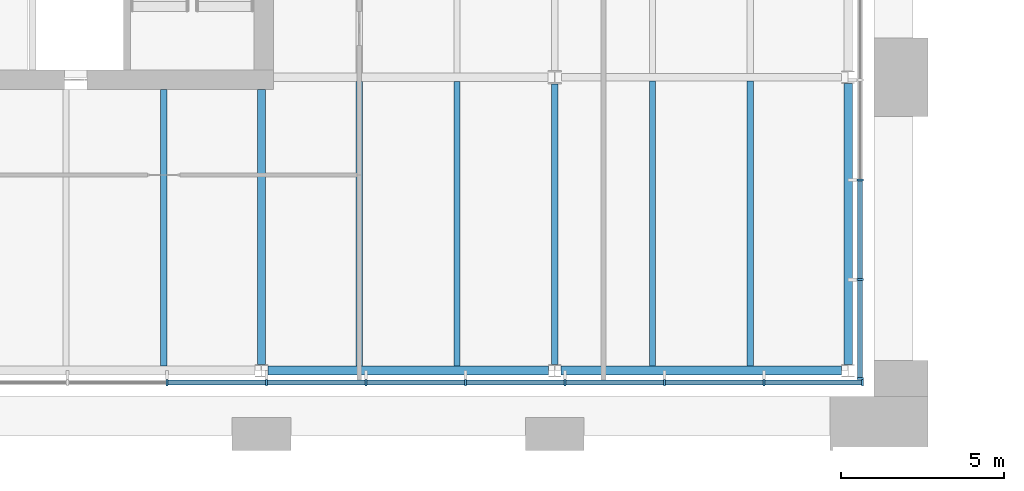
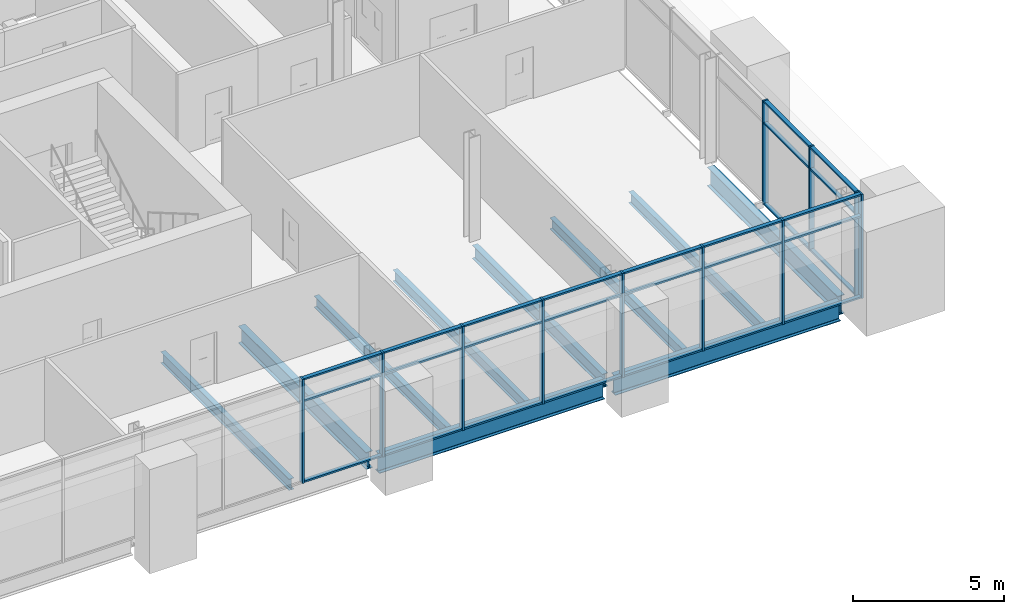
# One storey, part 10 of 43: 38 members, 10 beams, 2 elements without a shape of their own.
"""IFC4 building model written with IfcOpenShell, lengths in metres."""

from ifc_helpers import new_model, si_unit, direction, frame, origin, origin_2d, place, context, subcontext, project, spatial, rectangle, i_section, extrude, material, material_profile, profile_set, type_object, element, aggregate, save


model = new_model("IFC4")

# Units and contexts
model_context = context("Model", 3, precision=1e-05, world=origin(), true_north=direction((0.0, 1.0)))
body_context = subcontext(model_context, "Body", "Model", "MODEL_VIEW")
ifc_project = project(units=[si_unit("LENGTHUNIT", "METRE"), si_unit("AREAUNIT", "SQUARE_METRE"), si_unit("VOLUMEUNIT", "CUBIC_METRE"), si_unit("PLANEANGLEUNIT", "RADIAN"), si_unit("MASSUNIT", "GRAM", prefix="KILO")], contexts=[model_context])

# Site, building, storey
site_placement = place(None, origin())
site = spatial("IfcSite", under=ifc_project, at=site_placement, CompositionType="ELEMENT")
building_placement = place(site_placement, origin())
building = spatial("IfcBuilding", under=site, at=building_placement, Name="Baradari Gate Terminus", CompositionType="ELEMENT")
storey_placement = place(building_placement, frame((0.0, 0.0, 20.10009765625)))
storey = spatial("IfcBuildingStorey", under=building, at=storey_placement, Name="L04", CompositionType="ELEMENT", Elevation=20.10009765625)

# Curtain wall, members
ifc_material_1 = material(Name="Aluminium 6063-T6", Category="aluminium")
curtain_wall_type = type_object("IfcCurtainWallType", Name="Curtain wall CW-1 block unitised, zone L02-L05", PredefinedType="NOTDEFINED", material=ifc_material_1)
curtain_wall_1_placement = place(storey_placement, origin())
curtain_wall_1 = element("IfcCurtainWall", 1, at=curtain_wall_1_placement, inside=storey, type_object=curtain_wall_type, Name="Curtain wall CW-1 Operations block S face L04", PredefinedType="NOTDEFINED")
ifc_material_2 = material(Name="Aluminium 6063-T6", Category="aluminium")
ifc_material_profile_1 = material_profile(ifc_material_2, rectangle(XDim=0.199951171875, YDim=0.06494140625, at=origin_2d()), Name="CM-1 65X200")
ifc_profile_set_1 = profile_set([ifc_material_profile_1], Name="Aluminium 6063-T6")
member_type_1 = type_object("IfcMemberType", Name="Curtain wall mullion CM-1 65x200", PredefinedType="MULLION", material=ifc_profile_set_1)
member_1_placement = place(storey_placement, frame((42.1044921875, 116.6298828125, 0.0), z_axis=(0.0, 0.0, 1.0), x_axis=(0.0, 1.0, 0.0)))
member_1 = element("IfcMember", 2, at=member_1_placement, type_object=member_type_1, Name="CW-1 mullion 12", PredefinedType="MULLION", context=body_context, shape_type="SweptSolid", body=[
    extrude(rectangle(XDim=0.199951171875, YDim=0.06494140625, at=origin_2d()), origin(), (0.0, 0.0, 1.0), 4.199951171875),
])
member_2_placement = place(storey_placement, frame((45.15673828125, 116.6298828125, 0.0), z_axis=(0.0, 0.0, 1.0), x_axis=(0.0, 1.0, 0.0)))
member_2 = element("IfcMember", 3, at=member_2_placement, type_object=member_type_1, Name="CW-1 mullion 13", PredefinedType="MULLION", context=body_context, shape_type="SweptSolid", body=[
    extrude(rectangle(XDim=0.199951171875, YDim=0.06494140625, at=origin_2d()), origin(), (0.0, 0.0, 1.0), 4.199951171875),
])
member_3_placement = place(storey_placement, frame((48.208984375, 116.6298828125, 0.0), z_axis=(0.0, 0.0, 1.0), x_axis=(0.0, 1.0, 0.0)))
member_3 = element("IfcMember", 4, at=member_3_placement, type_object=member_type_1, Name="CW-1 mullion 14", PredefinedType="MULLION", context=body_context, shape_type="SweptSolid", body=[
    extrude(rectangle(XDim=0.199951171875, YDim=0.06494140625, at=origin_2d()), origin(), (0.0, 0.0, 1.0), 4.199951171875),
])
member_4_placement = place(storey_placement, frame((51.26123046875, 116.6298828125, 0.0), z_axis=(0.0, 0.0, 1.0), x_axis=(0.0, 1.0, 0.0)))
member_4 = element("IfcMember", 5, at=member_4_placement, type_object=member_type_1, Name="CW-1 mullion 15", PredefinedType="MULLION", context=body_context, shape_type="SweptSolid", body=[
    extrude(rectangle(XDim=0.199951171875, YDim=0.06494140625, at=origin_2d()), origin(), (0.0, 0.0, 1.0), 4.199951171875),
])
member_5_placement = place(storey_placement, frame((54.313232421875, 116.6298828125, 0.0), z_axis=(0.0, 0.0, 1.0), x_axis=(0.0, 1.0, 0.0)))
member_5 = element("IfcMember", 6, at=member_5_placement, type_object=member_type_1, Name="CW-1 mullion 16", PredefinedType="MULLION", context=body_context, shape_type="SweptSolid", body=[
    extrude(rectangle(XDim=0.199951171875, YDim=0.06494140625, at=origin_2d()), origin(), (0.0, 0.0, 1.0), 4.199951171875),
])
member_6_placement = place(storey_placement, frame((57.365478515625, 116.6298828125, 0.0), z_axis=(0.0, 0.0, 1.0), x_axis=(0.0, 1.0, 0.0)))
member_6 = element("IfcMember", 7, at=member_6_placement, type_object=member_type_1, Name="CW-1 mullion 17", PredefinedType="MULLION", context=body_context, shape_type="SweptSolid", body=[
    extrude(rectangle(XDim=0.199951171875, YDim=0.06494140625, at=origin_2d()), origin(), (0.0, 0.0, 1.0), 4.199951171875),
])
member_7_placement = place(storey_placement, frame((60.417724609375, 116.6298828125, 0.0), z_axis=(0.0, 0.0, 1.0), x_axis=(0.0, 1.0, 0.0)))
member_7 = element("IfcMember", 8, at=member_7_placement, type_object=member_type_1, Name="CW-1 mullion 18", PredefinedType="MULLION", context=body_context, shape_type="SweptSolid", body=[
    extrude(rectangle(XDim=0.199951171875, YDim=0.06494140625, at=origin_2d()), origin(), (0.0, 0.0, 1.0), 4.199951171875),
])
member_8_placement = place(storey_placement, frame((63.4375, 116.6298828125, 0.0), z_axis=(0.0, 0.0, 1.0), x_axis=(0.0, 1.0, 0.0)))
member_8 = element("IfcMember", 9, at=member_8_placement, type_object=member_type_1, Name="CW-1 mullion 19", PredefinedType="MULLION", context=body_context, shape_type="SweptSolid", body=[
    extrude(rectangle(XDim=0.199951171875, YDim=0.06494140625, at=origin_2d()), origin(), (0.0, 0.0, 1.0), 4.199951171875),
])

curtain_wall_2_placement = place(storey_placement, origin())
curtain_wall_2 = element("IfcCurtainWall", 10, at=curtain_wall_2_placement, inside=storey, type_object=curtain_wall_type, Name="Curtain wall CW-1 Operations block E face L04", PredefinedType="NOTDEFINED")
member_9_placement = place(storey_placement, frame((63.3701171875, 116.762451171875, 0.0), z_axis=(0.0, 0.0, 1.0), x_axis=(-1.0, 0.0, 0.0)))
member_9 = element("IfcMember", 11, at=member_9_placement, type_object=member_type_1, Name="CW-1 mullion 1", PredefinedType="MULLION", context=body_context, shape_type="SweptSolid", body=[
    extrude(rectangle(XDim=0.199951171875, YDim=0.06494140625, at=origin_2d()), origin(), (0.0, 0.0, 1.0), 4.199951171875),
])
member_10_placement = place(storey_placement, frame((63.3701171875, 119.7900390625, 0.0), z_axis=(0.0, 0.0, 1.0), x_axis=(-1.0, 0.0, 0.0)))
member_10 = element("IfcMember", 12, at=member_10_placement, type_object=member_type_1, Name="CW-1 mullion 2", PredefinedType="MULLION", context=body_context, shape_type="SweptSolid", body=[
    extrude(rectangle(XDim=0.199951171875, YDim=0.06494140625, at=origin_2d()), origin(), (0.0, 0.0, 1.0), 4.199951171875),
])
member_11_placement = place(storey_placement, frame((63.3701171875, 122.85009765625, 0.0), z_axis=(0.0, 0.0, 1.0), x_axis=(-1.0, 0.0, 0.0)))
member_11 = element("IfcMember", 13, at=member_11_placement, type_object=member_type_1, Name="CW-1 mullion 3", PredefinedType="MULLION", context=body_context, shape_type="SweptSolid", body=[
    extrude(rectangle(XDim=0.199951171875, YDim=0.06494140625, at=origin_2d()), origin(), (0.0, 0.0, 1.0), 4.199951171875),
])

# Member
ifc_material_3 = material(Name="Aluminium 6063-T6", Category="aluminium")
ifc_material_profile_2 = material_profile(ifc_material_3, rectangle(XDim=0.14990234375, YDim=0.06494140625, at=origin_2d()), Name="CT-1 65X150")
ifc_profile_set_2 = profile_set([ifc_material_profile_2], Name="Aluminium 6063-T6")
member_type_2 = type_object("IfcMemberType", Name="Curtain wall transom CT-1 65x150", PredefinedType="USERDEFINED", material=ifc_profile_set_2)
member_12_placement = place(storey_placement, frame((42.136962890625, 116.6298828125, 0.032470703125), z_axis=(1.0, 0.0, 0.0), x_axis=(0.0, 1.0, 0.0)))
member_12 = element("IfcMember", 14, at=member_12_placement, type_object=member_type_2, Name="CW-1 transom 12.1", ObjectType="TRANSOM", PredefinedType="USERDEFINED", context=body_context, shape_type="SweptSolid", body=[
    extrude(rectangle(XDim=0.14990234375, YDim=0.06494140625, at=origin_2d()), origin(), (0.0, 0.0, 1.0), 2.9873046875),
])

member_13_placement = place(storey_placement, frame((42.136962890625, 116.6298828125, 3.2998046875), z_axis=(1.0, 0.0, 0.0), x_axis=(0.0, 1.0, 0.0)))
member_13 = element("IfcMember", 15, at=member_13_placement, type_object=member_type_2, Name="CW-1 transom 12.2", ObjectType="TRANSOM", PredefinedType="USERDEFINED", context=body_context, shape_type="SweptSolid", body=[
    extrude(rectangle(XDim=0.14990234375, YDim=0.06494140625, at=origin_2d()), origin(), (0.0, 0.0, 1.0), 2.9873046875),
])

member_14_placement = place(storey_placement, frame((42.136962890625, 116.6298828125, 4.16748046875), z_axis=(1.0, 0.0, 0.0), x_axis=(0.0, 1.0, 0.0)))
member_14 = element("IfcMember", 16, at=member_14_placement, type_object=member_type_2, Name="CW-1 transom 12.3", ObjectType="TRANSOM", PredefinedType="USERDEFINED", context=body_context, shape_type="SweptSolid", body=[
    extrude(rectangle(XDim=0.14990234375, YDim=0.06494140625, at=origin_2d()), origin(), (0.0, 0.0, 1.0), 2.9873046875),
])

member_15_placement = place(storey_placement, frame((45.189208984375, 116.6298828125, 0.032470703125), z_axis=(1.0, 0.0, 0.0), x_axis=(0.0, 1.0, 0.0)))
member_15 = element("IfcMember", 17, at=member_15_placement, type_object=member_type_2, Name="CW-1 transom 13.1", ObjectType="TRANSOM", PredefinedType="USERDEFINED", context=body_context, shape_type="SweptSolid", body=[
    extrude(rectangle(XDim=0.14990234375, YDim=0.06494140625, at=origin_2d()), origin(), (0.0, 0.0, 1.0), 2.987060546875),
])

member_16_placement = place(storey_placement, frame((45.189208984375, 116.6298828125, 3.2998046875), z_axis=(1.0, 0.0, 0.0), x_axis=(0.0, 1.0, 0.0)))
member_16 = element("IfcMember", 18, at=member_16_placement, type_object=member_type_2, Name="CW-1 transom 13.2", ObjectType="TRANSOM", PredefinedType="USERDEFINED", context=body_context, shape_type="SweptSolid", body=[
    extrude(rectangle(XDim=0.14990234375, YDim=0.06494140625, at=origin_2d()), origin(), (0.0, 0.0, 1.0), 2.987060546875),
])

member_17_placement = place(storey_placement, frame((45.189208984375, 116.6298828125, 4.16748046875), z_axis=(1.0, 0.0, 0.0), x_axis=(0.0, 1.0, 0.0)))
member_17 = element("IfcMember", 19, at=member_17_placement, type_object=member_type_2, Name="CW-1 transom 13.3", ObjectType="TRANSOM", PredefinedType="USERDEFINED", context=body_context, shape_type="SweptSolid", body=[
    extrude(rectangle(XDim=0.14990234375, YDim=0.06494140625, at=origin_2d()), origin(), (0.0, 0.0, 1.0), 2.987060546875),
])

member_18_placement = place(storey_placement, frame((48.241455078125, 116.6298828125, 0.032470703125), z_axis=(1.0, 0.0, 0.0), x_axis=(0.0, 1.0, 0.0)))
member_18 = element("IfcMember", 20, at=member_18_placement, type_object=member_type_2, Name="CW-1 transom 14.1", ObjectType="TRANSOM", PredefinedType="USERDEFINED", context=body_context, shape_type="SweptSolid", body=[
    extrude(rectangle(XDim=0.14990234375, YDim=0.06494140625, at=origin_2d()), origin(), (0.0, 0.0, 1.0), 2.987060546875),
])

member_19_placement = place(storey_placement, frame((48.241455078125, 116.6298828125, 3.2998046875), z_axis=(1.0, 0.0, 0.0), x_axis=(0.0, 1.0, 0.0)))
member_19 = element("IfcMember", 21, at=member_19_placement, type_object=member_type_2, Name="CW-1 transom 14.2", ObjectType="TRANSOM", PredefinedType="USERDEFINED", context=body_context, shape_type="SweptSolid", body=[
    extrude(rectangle(XDim=0.14990234375, YDim=0.06494140625, at=origin_2d()), origin(), (0.0, 0.0, 1.0), 2.987060546875),
])

member_20_placement = place(storey_placement, frame((48.241455078125, 116.6298828125, 4.16748046875), z_axis=(1.0, 0.0, 0.0), x_axis=(0.0, 1.0, 0.0)))
member_20 = element("IfcMember", 22, at=member_20_placement, type_object=member_type_2, Name="CW-1 transom 14.3", ObjectType="TRANSOM", PredefinedType="USERDEFINED", context=body_context, shape_type="SweptSolid", body=[
    extrude(rectangle(XDim=0.14990234375, YDim=0.06494140625, at=origin_2d()), origin(), (0.0, 0.0, 1.0), 2.987060546875),
])

member_21_placement = place(storey_placement, frame((51.293701171875, 116.6298828125, 0.032470703125), z_axis=(1.0, 0.0, 0.0), x_axis=(0.0, 1.0, 0.0)))
member_21 = element("IfcMember", 23, at=member_21_placement, type_object=member_type_2, Name="CW-1 transom 15.1", ObjectType="TRANSOM", PredefinedType="USERDEFINED", context=body_context, shape_type="SweptSolid", body=[
    extrude(rectangle(XDim=0.14990234375, YDim=0.06494140625, at=origin_2d()), origin(), (0.0, 0.0, 1.0), 2.987060546875),
])

member_22_placement = place(storey_placement, frame((51.293701171875, 116.6298828125, 3.2998046875), z_axis=(1.0, 0.0, 0.0), x_axis=(0.0, 1.0, 0.0)))
member_22 = element("IfcMember", 24, at=member_22_placement, type_object=member_type_2, Name="CW-1 transom 15.2", ObjectType="TRANSOM", PredefinedType="USERDEFINED", context=body_context, shape_type="SweptSolid", body=[
    extrude(rectangle(XDim=0.14990234375, YDim=0.06494140625, at=origin_2d()), origin(), (0.0, 0.0, 1.0), 2.987060546875),
])

member_23_placement = place(storey_placement, frame((51.293701171875, 116.6298828125, 4.16748046875), z_axis=(1.0, 0.0, 0.0), x_axis=(0.0, 1.0, 0.0)))
member_23 = element("IfcMember", 25, at=member_23_placement, type_object=member_type_2, Name="CW-1 transom 15.3", ObjectType="TRANSOM", PredefinedType="USERDEFINED", context=body_context, shape_type="SweptSolid", body=[
    extrude(rectangle(XDim=0.14990234375, YDim=0.06494140625, at=origin_2d()), origin(), (0.0, 0.0, 1.0), 2.987060546875),
])

member_24_placement = place(storey_placement, frame((54.345947265625, 116.6298828125, 0.032470703125), z_axis=(1.0, 0.0, 0.0), x_axis=(0.0, 1.0, 0.0)))
member_24 = element("IfcMember", 26, at=member_24_placement, type_object=member_type_2, Name="CW-1 transom 16.1", ObjectType="TRANSOM", PredefinedType="USERDEFINED", context=body_context, shape_type="SweptSolid", body=[
    extrude(rectangle(XDim=0.14990234375, YDim=0.06494140625, at=origin_2d()), origin(), (0.0, 0.0, 1.0), 2.987060546875),
])

member_25_placement = place(storey_placement, frame((54.345947265625, 116.6298828125, 3.2998046875), z_axis=(1.0, 0.0, 0.0), x_axis=(0.0, 1.0, 0.0)))
member_25 = element("IfcMember", 27, at=member_25_placement, type_object=member_type_2, Name="CW-1 transom 16.2", ObjectType="TRANSOM", PredefinedType="USERDEFINED", context=body_context, shape_type="SweptSolid", body=[
    extrude(rectangle(XDim=0.14990234375, YDim=0.06494140625, at=origin_2d()), origin(), (0.0, 0.0, 1.0), 2.987060546875),
])

member_26_placement = place(storey_placement, frame((54.345947265625, 116.6298828125, 4.16748046875), z_axis=(1.0, 0.0, 0.0), x_axis=(0.0, 1.0, 0.0)))
member_26 = element("IfcMember", 28, at=member_26_placement, type_object=member_type_2, Name="CW-1 transom 16.3", ObjectType="TRANSOM", PredefinedType="USERDEFINED", context=body_context, shape_type="SweptSolid", body=[
    extrude(rectangle(XDim=0.14990234375, YDim=0.06494140625, at=origin_2d()), origin(), (0.0, 0.0, 1.0), 2.987060546875),
])

member_27_placement = place(storey_placement, frame((57.39794921875, 116.6298828125, 0.032470703125), z_axis=(1.0, 0.0, 0.0), x_axis=(0.0, 1.0, 0.0)))
member_27 = element("IfcMember", 29, at=member_27_placement, type_object=member_type_2, Name="CW-1 transom 17.1", ObjectType="TRANSOM", PredefinedType="USERDEFINED", context=body_context, shape_type="SweptSolid", body=[
    extrude(rectangle(XDim=0.14990234375, YDim=0.06494140625, at=origin_2d()), origin(), (0.0, 0.0, 1.0), 2.9873046875),
])

member_28_placement = place(storey_placement, frame((57.39794921875, 116.6298828125, 3.2998046875), z_axis=(1.0, 0.0, 0.0), x_axis=(0.0, 1.0, 0.0)))
member_28 = element("IfcMember", 30, at=member_28_placement, type_object=member_type_2, Name="CW-1 transom 17.2", ObjectType="TRANSOM", PredefinedType="USERDEFINED", context=body_context, shape_type="SweptSolid", body=[
    extrude(rectangle(XDim=0.14990234375, YDim=0.06494140625, at=origin_2d()), origin(), (0.0, 0.0, 1.0), 2.9873046875),
])

member_29_placement = place(storey_placement, frame((57.39794921875, 116.6298828125, 4.16748046875), z_axis=(1.0, 0.0, 0.0), x_axis=(0.0, 1.0, 0.0)))
member_29 = element("IfcMember", 31, at=member_29_placement, type_object=member_type_2, Name="CW-1 transom 17.3", ObjectType="TRANSOM", PredefinedType="USERDEFINED", context=body_context, shape_type="SweptSolid", body=[
    extrude(rectangle(XDim=0.14990234375, YDim=0.06494140625, at=origin_2d()), origin(), (0.0, 0.0, 1.0), 2.9873046875),
])

member_30_placement = place(storey_placement, frame((60.4501953125, 116.6298828125, 0.032470703125), z_axis=(1.0, 0.0, 0.0), x_axis=(0.0, 1.0, 0.0)))
member_30 = element("IfcMember", 32, at=member_30_placement, type_object=member_type_2, Name="CW-1 transom 18.1", ObjectType="TRANSOM", PredefinedType="USERDEFINED", context=body_context, shape_type="SweptSolid", body=[
    extrude(rectangle(XDim=0.14990234375, YDim=0.06494140625, at=origin_2d()), origin(), (0.0, 0.0, 1.0), 2.954833984375),
])

member_31_placement = place(storey_placement, frame((60.4501953125, 116.6298828125, 3.2998046875), z_axis=(1.0, 0.0, 0.0), x_axis=(0.0, 1.0, 0.0)))
member_31 = element("IfcMember", 33, at=member_31_placement, type_object=member_type_2, Name="CW-1 transom 18.2", ObjectType="TRANSOM", PredefinedType="USERDEFINED", context=body_context, shape_type="SweptSolid", body=[
    extrude(rectangle(XDim=0.14990234375, YDim=0.06494140625, at=origin_2d()), origin(), (0.0, 0.0, 1.0), 2.954833984375),
])

member_32_placement = place(storey_placement, frame((60.4501953125, 116.6298828125, 4.16748046875), z_axis=(1.0, 0.0, 0.0), x_axis=(0.0, 1.0, 0.0)))
member_32 = element("IfcMember", 34, at=member_32_placement, type_object=member_type_2, Name="CW-1 transom 18.3", ObjectType="TRANSOM", PredefinedType="USERDEFINED", context=body_context, shape_type="SweptSolid", body=[
    extrude(rectangle(XDim=0.14990234375, YDim=0.06494140625, at=origin_2d()), origin(), (0.0, 0.0, 1.0), 2.954833984375),
])

aggregate(curtain_wall_1, [member_1, member_2, member_3, member_4, member_5, member_6, member_7, member_8, member_12, member_13, member_14, member_15, member_16, member_17, member_18, member_19, member_20, member_21, member_22, member_23, member_24, member_25, member_26, member_27, member_28, member_29, member_30, member_31, member_32])

member_33_placement = place(storey_placement, frame((63.3701171875, 116.794921875, 0.032470703125), z_axis=(0.0, 1.0, 0.0), x_axis=(-1.0, 0.0, 0.0)))
member_33 = element("IfcMember", 35, at=member_33_placement, type_object=member_type_2, Name="CW-1 transom 1.1", ObjectType="TRANSOM", PredefinedType="USERDEFINED", context=body_context, shape_type="SweptSolid", body=[
    extrude(rectangle(XDim=0.14990234375, YDim=0.06494140625, at=origin_2d()), origin(), (0.0, 0.0, 1.0), 2.962646484375),
])

member_34_placement = place(storey_placement, frame((63.3701171875, 116.794921875, 3.2998046875), z_axis=(0.0, 1.0, 0.0), x_axis=(-1.0, 0.0, 0.0)))
member_34 = element("IfcMember", 36, at=member_34_placement, type_object=member_type_2, Name="CW-1 transom 1.2", ObjectType="TRANSOM", PredefinedType="USERDEFINED", context=body_context, shape_type="SweptSolid", body=[
    extrude(rectangle(XDim=0.14990234375, YDim=0.06494140625, at=origin_2d()), origin(), (0.0, 0.0, 1.0), 2.962646484375),
])

member_35_placement = place(storey_placement, frame((63.3701171875, 116.794921875, 4.16748046875), z_axis=(0.0, 1.0, 0.0), x_axis=(-1.0, 0.0, 0.0)))
member_35 = element("IfcMember", 37, at=member_35_placement, type_object=member_type_2, Name="CW-1 transom 1.3", ObjectType="TRANSOM", PredefinedType="USERDEFINED", context=body_context, shape_type="SweptSolid", body=[
    extrude(rectangle(XDim=0.14990234375, YDim=0.06494140625, at=origin_2d()), origin(), (0.0, 0.0, 1.0), 2.962646484375),
])

member_36_placement = place(storey_placement, frame((63.3701171875, 119.822509765625, 0.032470703125), z_axis=(0.0, 1.0, 0.0), x_axis=(-1.0, 0.0, 0.0)))
member_36 = element("IfcMember", 38, at=member_36_placement, type_object=member_type_2, Name="CW-1 transom 2.1", ObjectType="TRANSOM", PredefinedType="USERDEFINED", context=body_context, shape_type="SweptSolid", body=[
    extrude(rectangle(XDim=0.14990234375, YDim=0.06494140625, at=origin_2d()), origin(), (0.0, 0.0, 1.0), 2.994873046875),
])

member_37_placement = place(storey_placement, frame((63.3701171875, 119.822509765625, 3.2998046875), z_axis=(0.0, 1.0, 0.0), x_axis=(-1.0, 0.0, 0.0)))
member_37 = element("IfcMember", 39, at=member_37_placement, type_object=member_type_2, Name="CW-1 transom 2.2", ObjectType="TRANSOM", PredefinedType="USERDEFINED", context=body_context, shape_type="SweptSolid", body=[
    extrude(rectangle(XDim=0.14990234375, YDim=0.06494140625, at=origin_2d()), origin(), (0.0, 0.0, 1.0), 2.994873046875),
])

member_38_placement = place(storey_placement, frame((63.3701171875, 119.822509765625, 4.16748046875), z_axis=(0.0, 1.0, 0.0), x_axis=(-1.0, 0.0, 0.0)))
member_38 = element("IfcMember", 40, at=member_38_placement, type_object=member_type_2, Name="CW-1 transom 2.3", ObjectType="TRANSOM", PredefinedType="USERDEFINED", context=body_context, shape_type="SweptSolid", body=[
    extrude(rectangle(XDim=0.14990234375, YDim=0.06494140625, at=origin_2d()), origin(), (0.0, 0.0, 1.0), 2.994873046875),
])

aggregate(curtain_wall_2, [member_9, member_10, member_11, member_33, member_34, member_35, member_36, member_37, member_38])

# Beams
ifc_material_4 = material(Name="Steel S355", Category="steel")
ifc_material_profile_3 = material_profile(ifc_material_4, i_section(OverallWidth=0.25439453125, OverallDepth=0.6875, WebThickness=0.01318359375, FlangeThickness=0.02099609375, FilletRadius=0.01513671875, at=origin_2d()), Name="UB 686x254x152")
ifc_profile_set_3 = profile_set([ifc_material_profile_3], Name="Steel S355")
beam_type_1 = type_object("IfcBeamType", Name="Operations block coupling beam B26 UB 686x254x152", PredefinedType="BEAM", material=ifc_profile_set_3)
beam_1_placement = place(storey_placement, frame((45.0, 117.1904296875, -0.473876953125), z_axis=(0.0, 1.0, 0.0), x_axis=(-1.0, 0.0, 0.0)))
element("IfcBeam", 41, at=beam_1_placement, inside=storey, type_object=beam_type_1, Name="Operations block coupling beam B26 6:117.191-125.625 L04", PredefinedType="BEAM", context=body_context, shape_type="SweptSolid", body=[
    extrude(i_section(OverallWidth=0.25439453125, OverallDepth=0.6875, WebThickness=0.01318359375, FlangeThickness=0.02099609375, FilletRadius=0.01513671875, at=origin_2d()), origin(), (0.0, 0.0, 1.0), 8.4345703125),
])
ifc_material_5 = material(Name="Steel S355", Category="steel")
ifc_material_profile_4 = material_profile(ifc_material_5, i_section(OverallWidth=0.210693359375, OverallDepth=0.53955078125, WebThickness=0.01171875, FlangeThickness=0.018798828125, FilletRadius=0.0126953125, at=origin_2d()), Name="UB 533x210x109")
ifc_profile_set_4 = profile_set([ifc_material_profile_4], Name="Steel S355")
beam_type_2 = type_object("IfcBeamType", Name="Operations block girder B29 UB 533x210x109", PredefinedType="BEAM", material=ifc_profile_set_4)
beam_2_placement = place(storey_placement, frame((54.0, 117.1904296875, -0.39990234375), z_axis=(0.0, 1.0, 0.0), x_axis=(-1.0, 0.0, 0.0)))
element("IfcBeam", 42, at=beam_2_placement, inside=storey, type_object=beam_type_2, Name="Operations block girder B29 7:117.191-125.797 L04", PredefinedType="BEAM", context=body_context, shape_type="SweptSolid", body=[
    extrude(i_section(OverallWidth=0.210693359375, OverallDepth=0.53955078125, WebThickness=0.01171875, FlangeThickness=0.018798828125, FilletRadius=0.0126953125, at=origin_2d()), origin(), (0.0, 0.0, 1.0), 8.6064453125),
])
ifc_material_6 = material(Name="Steel S355", Category="steel")
ifc_material_profile_5 = material_profile(ifc_material_6, i_section(OverallWidth=0.2666015625, OverallDepth=0.76220703125, WebThickness=0.014404296875, FlangeThickness=0.021484375, FilletRadius=0.0166015625, at=origin_2d()), Name="UB 762x267x173")
ifc_profile_set_5 = profile_set([ifc_material_profile_5], Name="Steel S355")
beam_type_3 = type_object("IfcBeamType", Name="Operations block moment frame beam B24 UB 762x267x173", PredefinedType="BEAM", material=ifc_profile_set_5)
for number, where, z_axis, x_axis, name in (
    (43, (45.197509765625, 117.0, -0.51123046875), (1.0, 0.0, 0.0), (0.0, 1.0, 0.0), "Operations block moment frame beam B24 P:45.197-53.803 L04"),
    (44, (54.197509765625, 117.0, -0.51123046875), (1.0, 0.0, 0.0), (0.0, 1.0, 0.0), "Operations block moment frame beam B24 P:54.197-62.803 L04"),
):
    element("IfcBeam", number, at=place(storey_placement, frame(where, z_axis=z_axis, x_axis=x_axis)), inside=storey, type_object=beam_type_3, Name=name, PredefinedType="BEAM", context=body_context, shape_type="SweptSolid", body=[
        extrude(i_section(OverallWidth=0.2666015625, OverallDepth=0.76220703125, WebThickness=0.014404296875, FlangeThickness=0.021484375, FilletRadius=0.0166015625, at=origin_2d()), origin(), (0.0, 0.0, 1.0), 8.60498046875),
    ])
beam_3_placement = place(storey_placement, frame((63.0, 117.1904296875, -0.51123046875), z_axis=(0.0, 1.0, 0.0), x_axis=(-1.0, 0.0, 0.0)))
element("IfcBeam", 45, at=beam_3_placement, inside=storey, type_object=beam_type_3, Name="Operations block moment frame beam B24 8:117.191-125.809 L04", PredefinedType="BEAM", context=body_context, shape_type="SweptSolid", body=[
    extrude(i_section(OverallWidth=0.2666015625, OverallDepth=0.76220703125, WebThickness=0.014404296875, FlangeThickness=0.021484375, FilletRadius=0.0166015625, at=origin_2d()), origin(), (0.0, 0.0, 1.0), 8.619140625),
])
ifc_material_7 = material(Name="Steel S355", Category="steel")
ifc_material_profile_6 = material_profile(ifc_material_7, i_section(OverallWidth=0.18994140625, OverallDepth=0.453369140625, WebThickness=0.008544921875, FlangeThickness=0.0126953125, FilletRadius=0.01025390625, at=origin_2d()), Name="UB 457x191x67")
ifc_profile_set_6 = profile_set([ifc_material_profile_6], Name="Steel S355")
beam_type_4 = type_object("IfcBeamType", Name="Operations block secondary beam B28 UB 457x191x67", PredefinedType="BEAM", material=ifc_profile_set_6)
beam_4_placement = place(storey_placement, frame((42.0, 117.13330078125, -0.356689453125), z_axis=(0.0, 1.0, 0.0), x_axis=(-1.0, 0.0, 0.0)))
element("IfcBeam", 46, at=beam_4_placement, inside=storey, type_object=beam_type_4, Name="Operations block secondary beam B28 42:117.133-125.625 L04", PredefinedType="BEAM", context=body_context, shape_type="SweptSolid", body=[
    extrude(i_section(OverallWidth=0.18994140625, OverallDepth=0.453369140625, WebThickness=0.008544921875, FlangeThickness=0.0126953125, FilletRadius=0.01025390625, at=origin_2d()), origin(), (0.0, 0.0, 1.0), 8.49169921875),
])
for number, where, z_axis, x_axis, name in (
    (47, (48.0, 117.13330078125, -0.356689453125), (0.0, 1.0, 0.0), (-1.0, 0.0, 0.0), "Operations block secondary beam B28 48:117.133-125.873 L04"),
    (48, (51.0, 117.13330078125, -0.356689453125), (0.0, 1.0, 0.0), (-1.0, 0.0, 0.0), "Operations block secondary beam B28 51:117.133-125.873 L04"),
):
    element("IfcBeam", number, at=place(storey_placement, frame(where, z_axis=z_axis, x_axis=x_axis)), inside=storey, type_object=beam_type_4, Name=name, PredefinedType="BEAM", context=body_context, shape_type="SweptSolid", body=[
        extrude(i_section(OverallWidth=0.18994140625, OverallDepth=0.453369140625, WebThickness=0.008544921875, FlangeThickness=0.0126953125, FilletRadius=0.01025390625, at=origin_2d()), origin(), (0.0, 0.0, 1.0), 8.739501953125),
    ])
for number, where, z_axis, x_axis, name in (
    (49, (57.0, 117.13330078125, -0.356689453125), (0.0, 1.0, 0.0), (-1.0, 0.0, 0.0), "Operations block secondary beam B28 57:117.133-125.885 L04"),
    (50, (60.0, 117.13330078125, -0.356689453125), (0.0, 1.0, 0.0), (-1.0, 0.0, 0.0), "Operations block secondary beam B28 60:117.133-125.885 L04"),
):
    element("IfcBeam", number, at=place(storey_placement, frame(where, z_axis=z_axis, x_axis=x_axis)), inside=storey, type_object=beam_type_4, Name=name, PredefinedType="BEAM", context=body_context, shape_type="SweptSolid", body=[
        extrude(i_section(OverallWidth=0.18994140625, OverallDepth=0.453369140625, WebThickness=0.008544921875, FlangeThickness=0.0126953125, FilletRadius=0.01025390625, at=origin_2d()), origin(), (0.0, 0.0, 1.0), 8.752197265625),
    ])

save(model, "model.ifc")
